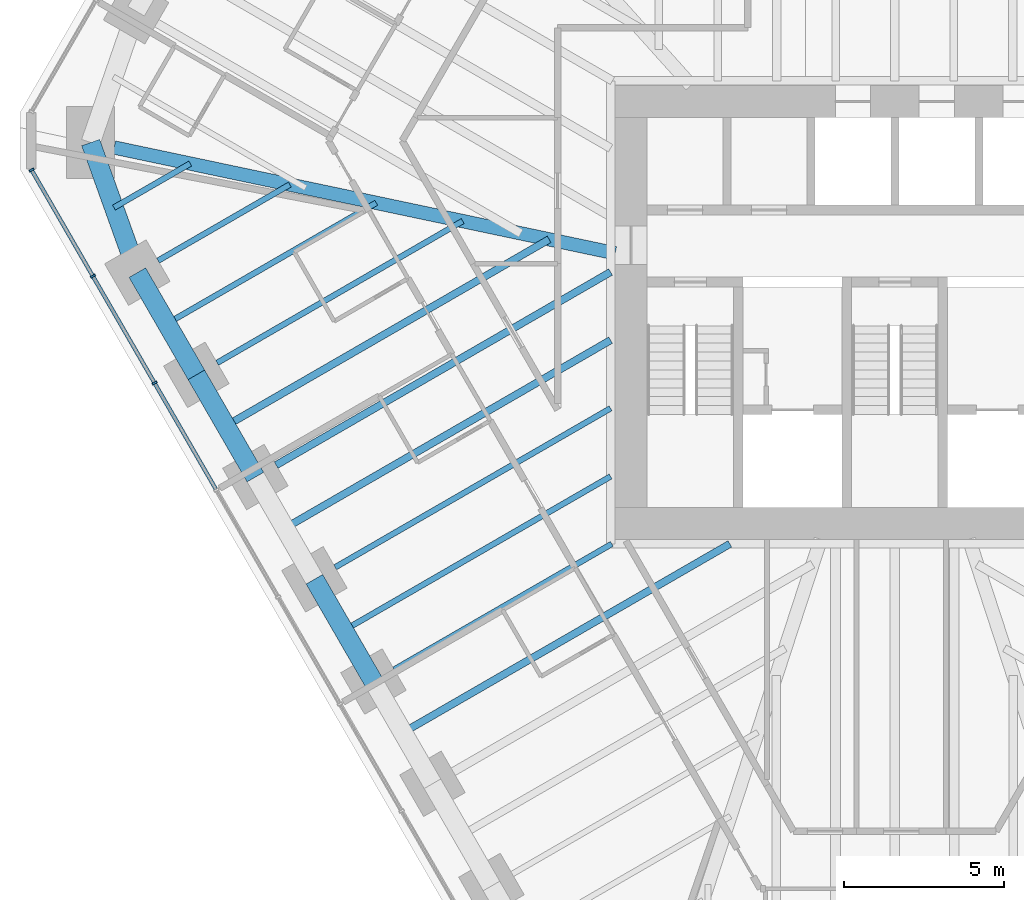
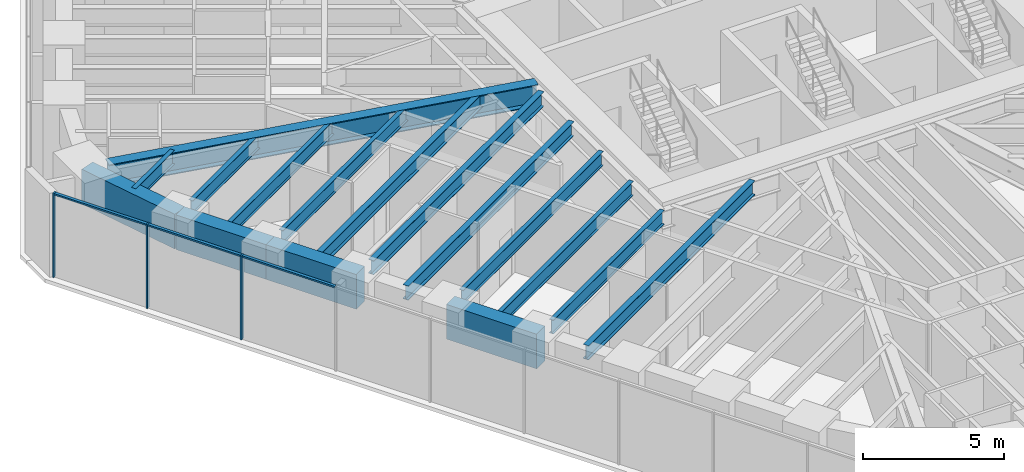
# One storey, part 3 of 17: 16 beams, 6 members, 1 element without a shape of its own.
"""IFC4 building model written with IfcOpenShell, lengths in metres."""

from ifc_helpers import new_model, si_unit, direction, frame, origin, origin_2d, place, context, subcontext, project, spatial, rectangle, i_section, extrude, material, material_profile, profile_set, type_object, element, aggregate, save


model = new_model("IFC4")

# Units and contexts
model_context = context("Model", 3, precision=1e-05, world=origin(), true_north=direction((0.0, 1.0)))
body_context = subcontext(model_context, "Body", "Model", "MODEL_VIEW")
ifc_project = project(units=[si_unit("LENGTHUNIT", "METRE"), si_unit("AREAUNIT", "SQUARE_METRE"), si_unit("VOLUMEUNIT", "CUBIC_METRE"), si_unit("PLANEANGLEUNIT", "RADIAN"), si_unit("MASSUNIT", "GRAM", prefix="KILO")], contexts=[model_context])

# Site, building, storey
site_placement = place(None, origin())
site = spatial("IfcSite", under=ifc_project, at=site_placement, CompositionType="ELEMENT")
building_placement = place(site_placement, origin())
building = spatial("IfcBuilding", under=site, at=building_placement, Name="Sandreach Pilgrim Tower", CompositionType="ELEMENT")
storey_placement = place(building_placement, frame((0.0, 0.0, 194.60009765625)))
storey = spatial("IfcBuildingStorey", under=building, at=storey_placement, Name="L48", CompositionType="ELEMENT", Elevation=194.60009765625)

# Curtain wall, members
ifc_material_1 = material(Name="Aluminium framed curtain wall", Category="aluminium")
curtain_wall_type = type_object("IfcCurtainWallType", Name="Upper hotel tower curtain wall", PredefinedType="NOTDEFINED", material=ifc_material_1)
curtain_wall_placement = place(storey_placement, origin())
curtain_wall = element("IfcCurtainWall", 1, at=curtain_wall_placement, inside=storey, type_object=curtain_wall_type, Name="CW-3 L48 SW", PredefinedType="NOTDEFINED")
ifc_material_2 = material(Name="Aluminium extrusion", Category="aluminium")
ifc_material_profile_1 = material_profile(ifc_material_2, rectangle(XDim=0.06494140625, YDim=0.159912109375, at=origin_2d()), Name="CW-3M 65X160")
ifc_profile_set_1 = profile_set([ifc_material_profile_1], Name="Aluminium extrusion")
member_type_1 = type_object("IfcMemberType", Name="CW-3 mullion", PredefinedType="MULLION", material=ifc_profile_set_1)
member_1_placement = place(storey_placement, frame((-23.15576171875, -2.21337890625, 0.0), z_axis=(0.0, 0.0, 1.0), x_axis=(-0.5, 0.866025403784, 0.0)))
member_1 = element("IfcMember", 2, at=member_1_placement, type_object=member_type_1, Name="CW-3 mullion 8", PredefinedType="MULLION", context=body_context, shape_type="SweptSolid", body=[
    extrude(rectangle(XDim=0.06494140625, YDim=0.159912109375, at=origin_2d()), origin(), (0.0, 0.0, 1.0), 3.639892578125),
])
member_2_placement = place(storey_placement, frame((-25.087890625, 1.13330078125, 0.0), z_axis=(0.0, 0.0, 1.0), x_axis=(-0.5, 0.866025403784, 0.0)))
member_2 = element("IfcMember", 3, at=member_2_placement, type_object=member_type_1, Name="CW-3 mullion 9", PredefinedType="MULLION", context=body_context, shape_type="SweptSolid", body=[
    extrude(rectangle(XDim=0.06494140625, YDim=0.159912109375, at=origin_2d()), origin(), (0.0, 0.0, 1.0), 3.639892578125),
])
member_3_placement = place(storey_placement, frame((-27.00390625, 4.451904296875, 0.0), z_axis=(0.0, 0.0, 1.0), x_axis=(-0.5, 0.866025403784, 0.0)))
member_3 = element("IfcMember", 4, at=member_3_placement, type_object=member_type_1, Name="CW-3 mullion 10", PredefinedType="MULLION", context=body_context, shape_type="SweptSolid", body=[
    extrude(rectangle(XDim=0.06494140625, YDim=0.159912109375, at=origin_2d()), origin(), (0.0, 0.0, 1.0), 3.639892578125),
])
ifc_material_3 = material(Name="Aluminium extrusion", Category="aluminium")
ifc_material_profile_2 = material_profile(ifc_material_3, rectangle(XDim=0.1201171875, YDim=0.070068359375, at=origin_2d()), Name="CW-3T 120X70")
ifc_profile_set_2 = profile_set([ifc_material_profile_2], Name="Aluminium extrusion")
member_type_2 = type_object("IfcMemberType", Name="CW-3 transom", PredefinedType="USERDEFINED", material=ifc_profile_set_2)
member_4_placement = place(storey_placement, frame((-21.23974609375, -5.531982421875, 3.60498046875), z_axis=(-0.499974606132, 0.866040064445, 0.0), x_axis=(-0.866040064445, -0.499974606132, 0.0)))
member_4 = element("IfcMember", 5, at=member_4_placement, type_object=member_type_2, Name="CW-3 head transom 7", ObjectType="TRANSOM", PredefinedType="USERDEFINED", context=body_context, shape_type="SweptSolid", body=[
    extrude(rectangle(XDim=0.1201171875, YDim=0.070068359375, at=origin_2d()), origin(), (0.0, 0.0, 1.0), 3.799560546875),
])
member_5_placement = place(storey_placement, frame((-23.171875, -2.185302734375, 3.60498046875), z_axis=(-0.500022797313, 0.86601224135, 0.0), x_axis=(-0.86601224135, -0.500022797313, 0.0)))
member_5 = element("IfcMember", 6, at=member_5_placement, type_object=member_type_2, Name="CW-3 head transom 8", ObjectType="TRANSOM", PredefinedType="USERDEFINED", context=body_context, shape_type="SweptSolid", body=[
    extrude(rectangle(XDim=0.1201171875, YDim=0.070068359375, at=origin_2d()), origin(), (0.0, 0.0, 1.0), 3.799560546875),
])
member_6_placement = place(storey_placement, frame((-25.104248046875, 1.161376953125, 3.60498046875), z_axis=(-0.499944992379, 0.86605716012, 0.0), x_axis=(-0.86605716012, -0.499944992379, 0.0)))
member_6 = element("IfcMember", 7, at=member_6_placement, type_object=member_type_2, Name="CW-3 head transom 9", ObjectType="TRANSOM", PredefinedType="USERDEFINED", context=body_context, shape_type="SweptSolid", body=[
    extrude(rectangle(XDim=0.1201171875, YDim=0.070068359375, at=origin_2d()), origin(), (0.0, 0.0, 1.0), 3.76708984375),
])
aggregate(curtain_wall, [member_1, member_2, member_3, member_4, member_5, member_6])

# Beams
ifc_material_4 = material(Name="Steel ASTM A992 Grade 50", Category="steel")
ifc_material_profile_3 = material_profile(ifc_material_4, i_section(OverallWidth=0.421630859375, OverallDepth=0.937255859375, WebThickness=0.0224609375, FlangeThickness=0.039794921875, at=origin_2d()), Name="W36X282")
ifc_profile_set_3 = profile_set([ifc_material_profile_3], Name="Steel ASTM A992 Grade 50")
beam_type_1 = type_object("IfcBeamType", Name="Corner girder W36X282", PredefinedType="BEAM", material=ifc_profile_set_3)
beam_1_placement = place(storey_placement, frame((-24.422607421875, 5.156494140625, 3.17138671875), z_axis=(0.978428978804, -0.206583478132, 0.0), x_axis=(0.206583478132, 0.978428978804, 0.0)))
element("IfcBeam", 8, at=beam_1_placement, inside=storey, type_object=beam_type_1, Name="BM L48 CG35", PredefinedType="BEAM", context=body_context, shape_type="SweptSolid", body=[
    extrude(i_section(OverallWidth=0.421630859375, OverallDepth=0.937255859375, WebThickness=0.0224609375, FlangeThickness=0.039794921875, at=origin_2d()), origin(), (0.0, 0.0, 1.0), 16.01806640625),
])
ifc_material_5 = material(Name="Steel ASTM A992 Grade 50", Category="steel")
ifc_material_profile_4 = material_profile(ifc_material_5, i_section(OverallWidth=0.1787109375, OverallDepth=0.60205078125, WebThickness=0.010986328125, FlangeThickness=0.014892578125, at=origin_2d()), Name="W24X62")
ifc_profile_set_4 = profile_set([ifc_material_profile_4], Name="Steel ASTM A992 Grade 50")
beam_type_2 = type_object("IfcBeamType", Name="Floor beam W24X62", PredefinedType="BEAM", material=ifc_profile_set_4)
beam_2_placement = place(storey_placement, frame((-15.661376953125, -11.173828125, 3.3388671875), z_axis=(0.866038711524, 0.49997694961, 0.0), x_axis=(-0.49997694961, 0.866038711524, 0.0)))
element("IfcBeam", 9, at=beam_2_placement, inside=storey, type_object=beam_type_2, Name="BM L48 F30", PredefinedType="BEAM", context=body_context, shape_type="SweptSolid", body=[
    extrude(i_section(OverallWidth=0.1787109375, OverallDepth=0.60205078125, WebThickness=0.010986328125, FlangeThickness=0.014892578125, at=origin_2d()), origin(), (0.0, 0.0, 1.0), 7.861083984375),
])
beam_3_placement = place(storey_placement, frame((-17.507568359375, -7.97607421875, 3.3388671875), z_axis=(0.866027815265, 0.499995823171, 0.0), x_axis=(-0.499995823171, 0.866027815265, 0.0)))
element("IfcBeam", 10, at=beam_3_placement, inside=storey, type_object=beam_type_2, Name="BM L48 F31", PredefinedType="BEAM", context=body_context, shape_type="SweptSolid", body=[
    extrude(i_section(OverallWidth=0.1787109375, OverallDepth=0.60205078125, WebThickness=0.010986328125, FlangeThickness=0.014892578125, at=origin_2d()), origin(), (0.0, 0.0, 1.0), 9.94677734375),
])
beam_4_placement = place(storey_placement, frame((-21.2001953125, -1.58056640625, 3.3388671875), z_axis=(0.866027448082, 0.499996459156, 0.0), x_axis=(-0.499996459156, 0.866027448082, 0.0)))
element("IfcBeam", 11, at=beam_4_placement, inside=storey, type_object=beam_type_2, Name="BM L48 F33", PredefinedType="BEAM", context=body_context, shape_type="SweptSolid", body=[
    extrude(i_section(OverallWidth=0.1787109375, OverallDepth=0.60205078125, WebThickness=0.010986328125, FlangeThickness=0.014892578125, at=origin_2d()), origin(), (0.0, 0.0, 1.0), 8.86962890625),
])
beam_5_placement = place(storey_placement, frame((-23.04638671875, 1.6171875, 3.3388671875), z_axis=(0.86603347311, 0.499986023258, 0.0), x_axis=(-0.499986023258, 0.86603347311, 0.0)))
element("IfcBeam", 12, at=beam_5_placement, inside=storey, type_object=beam_type_2, Name="BM L48 F34", PredefinedType="BEAM", context=body_context, shape_type="SweptSolid", body=[
    extrude(i_section(OverallWidth=0.1787109375, OverallDepth=0.60205078125, WebThickness=0.010986328125, FlangeThickness=0.014892578125, at=origin_2d()), origin(), (0.0, 0.0, 1.0), 4.757568359375),
])
beam_6_placement = place(storey_placement, frame((-17.23388671875, -9.949951171875, 3.3388671875), z_axis=(0.866025593094, 0.499999672107, 0.0), x_axis=(-0.499999672107, 0.866025593094, 0.0)))
element("IfcBeam", 13, at=beam_6_placement, inside=storey, type_object=beam_type_2, Name="BM L48 FM30", PredefinedType="BEAM", context=body_context, shape_type="SweptSolid", body=[
    extrude(i_section(OverallWidth=0.1787109375, OverallDepth=0.60205078125, WebThickness=0.010986328125, FlangeThickness=0.014892578125, at=origin_2d()), origin(), (0.0, 0.0, 1.0), 9.630859375),
])
beam_7_placement = place(storey_placement, frame((-22.772705078125, -0.356689453125, 3.3388671875), z_axis=(0.866029704776, 0.49999255039, 0.0), x_axis=(-0.49999255039, 0.866029704776, 0.0)))
element("IfcBeam", 14, at=beam_7_placement, inside=storey, type_object=beam_type_2, Name="BM L48 FM33", PredefinedType="BEAM", context=body_context, shape_type="SweptSolid", body=[
    extrude(i_section(OverallWidth=0.1787109375, OverallDepth=0.60205078125, WebThickness=0.010986328125, FlangeThickness=0.014892578125, at=origin_2d()), origin(), (0.0, 0.0, 1.0), 7.5634765625),
])
beam_8_placement = place(storey_placement, frame((-24.42626953125, 3.27685546875, 3.3388671875), z_axis=(0.866046803606, 0.49996293259, 0.0), x_axis=(-0.49996293259, 0.866046803606, 0.0)))
element("IfcBeam", 15, at=beam_8_placement, inside=storey, type_object=beam_type_2, Name="BM L48 FM34", PredefinedType="BEAM", context=body_context, shape_type="SweptSolid", body=[
    extrude(i_section(OverallWidth=0.1787109375, OverallDepth=0.60205078125, WebThickness=0.010986328125, FlangeThickness=0.014892578125, at=origin_2d()), origin(), (0.0, 0.0, 1.0), 2.753662109375),
])
ifc_material_6 = material(Name="Steel ASTM A992 Grade 50", Category="steel")
ifc_material_profile_5 = material_profile(ifc_material_6, i_section(OverallWidth=0.23046875, OverallDepth=0.6171875, WebThickness=0.01318359375, FlangeThickness=0.022216796875, at=origin_2d()), Name="W24X94")
ifc_profile_set_5 = profile_set([ifc_material_profile_5], Name="Steel ASTM A992 Grade 50")
beam_type_3 = type_object("IfcBeamType", Name="Floor beam W24X94", PredefinedType="BEAM", material=ifc_profile_set_5)
beam_9_placement = place(storey_placement, frame((-19.353759765625, -4.7783203125, 3.331298828125), z_axis=(0.866026713419, 0.49999773164, 0.0), x_axis=(-0.49999773164, 0.866026713419, 0.0)))
element("IfcBeam", 16, at=beam_9_placement, inside=storey, type_object=beam_type_3, Name="BM L48 F32", PredefinedType="BEAM", context=body_context, shape_type="SweptSolid", body=[
    extrude(i_section(OverallWidth=0.23046875, OverallDepth=0.6171875, WebThickness=0.01318359375, FlangeThickness=0.022216796875, at=origin_2d()), origin(), (0.0, 0.0, 1.0), 12.07861328125),
])
beam_10_placement = place(storey_placement, frame((-15.3876953125, -13.14794921875, 3.331298828125), z_axis=(0.866022050506, 0.500005808004, 0.0), x_axis=(-0.500005808004, 0.866022050506, 0.0)))
element("IfcBeam", 17, at=beam_10_placement, inside=storey, type_object=beam_type_3, Name="BM L48 FM29", PredefinedType="BEAM", context=body_context, shape_type="SweptSolid", body=[
    extrude(i_section(OverallWidth=0.23046875, OverallDepth=0.6171875, WebThickness=0.01318359375, FlangeThickness=0.022216796875, at=origin_2d()), origin(), (0.0, 0.0, 1.0), 11.808837890625),
])
beam_11_placement = place(storey_placement, frame((-19.080322265625, -6.752197265625, 3.331298828125), z_axis=(0.866030053141, 0.499991946992, 0.0), x_axis=(-0.499991946992, 0.866030053141, 0.0)))
element("IfcBeam", 18, at=beam_11_placement, inside=storey, type_object=beam_type_3, Name="BM L48 FM31", PredefinedType="BEAM", context=body_context, shape_type="SweptSolid", body=[
    extrude(i_section(OverallWidth=0.23046875, OverallDepth=0.6171875, WebThickness=0.01318359375, FlangeThickness=0.022216796875, at=origin_2d()), origin(), (0.0, 0.0, 1.0), 11.762939453125),
])
beam_12_placement = place(storey_placement, frame((-20.926513671875, -3.554443359375, 3.331298828125), z_axis=(0.866026454974, 0.499998179282, 0.0), x_axis=(-0.499998179282, 0.866026454974, 0.0)))
element("IfcBeam", 19, at=beam_12_placement, inside=storey, type_object=beam_type_3, Name="BM L48 FM32", PredefinedType="BEAM", context=body_context, shape_type="SweptSolid", body=[
    extrude(i_section(OverallWidth=0.23046875, OverallDepth=0.6171875, WebThickness=0.01318359375, FlangeThickness=0.022216796875, at=origin_2d()), origin(), (0.0, 0.0, 1.0), 11.67578125),
])
ifc_material_7 = material(Name="Concrete 10000 psi", Category="concrete")
ifc_material_profile_6 = material_profile(ifc_material_7, rectangle(XDim=0.60009765625, YDim=1.5, at=origin_2d()), Name="RC600X1500")
ifc_profile_set_6 = profile_set([ifc_material_profile_6], Name="Concrete 10000 psi")
beam_type_4 = type_object("IfcBeamType", Name="Spandrel beam RC600X1500", PredefinedType="SPANDREL", material=ifc_profile_set_6)
beam_13_placement = place(storey_placement, frame((-16.310791015625, -11.548828125, 2.889892578125), z_axis=(-0.500042951019, 0.866000604582, 0.0), x_axis=(-0.866000604582, -0.500042951019, 0.0)))
element("IfcBeam", 20, at=beam_13_placement, inside=storey, type_object=beam_type_4, Name="BM L48 SP30", PredefinedType="SPANDREL", context=body_context, shape_type="SweptSolid", body=[
    extrude(rectangle(XDim=0.60009765625, YDim=1.5, at=origin_2d()), origin(), (0.0, 0.0, 1.0), 3.692626953125),
])
for number, where, z_axis, x_axis, name in (
    (21, (-20.00341796875, -5.1533203125, 2.889892578125), (-0.499993363642, 0.866029235253, 0.0), (-0.866029235253, -0.499993363642, 0.0), "BM L48 SP32"),
    (22, (-21.849609375, -1.95556640625, 2.889892578125), (-0.499993363642, 0.866029235253, 0.0), (-0.866029235253, -0.499993363642, 0.0), "BM L48 SP33"),
):
    element("IfcBeam", number, at=place(storey_placement, frame(where, z_axis=z_axis, x_axis=x_axis)), inside=storey, type_object=beam_type_4, Name=name, PredefinedType="SPANDREL", context=body_context, shape_type="SweptSolid", body=[
        extrude(rectangle(XDim=0.60009765625, YDim=1.5, at=origin_2d()), origin(), (0.0, 0.0, 1.0), 3.6923828125),
    ])
beam_14_placement = place(storey_placement, frame((-23.69580078125, 1.2421875, 2.889892578125), z_axis=(-0.337863470932, 0.941195131208, 0.0), x_axis=(-0.941195131208, -0.337863470932, 0.0)))
element("IfcBeam", 23, at=beam_14_placement, inside=storey, type_object=beam_type_4, Name="BM L48 SP34", PredefinedType="SPANDREL", context=body_context, shape_type="SweptSolid", body=[
    extrude(rectangle(XDim=0.60009765625, YDim=1.5, at=origin_2d()), origin(), (0.0, 0.0, 1.0), 4.3232421875),
])

save(model, "model.ifc")
